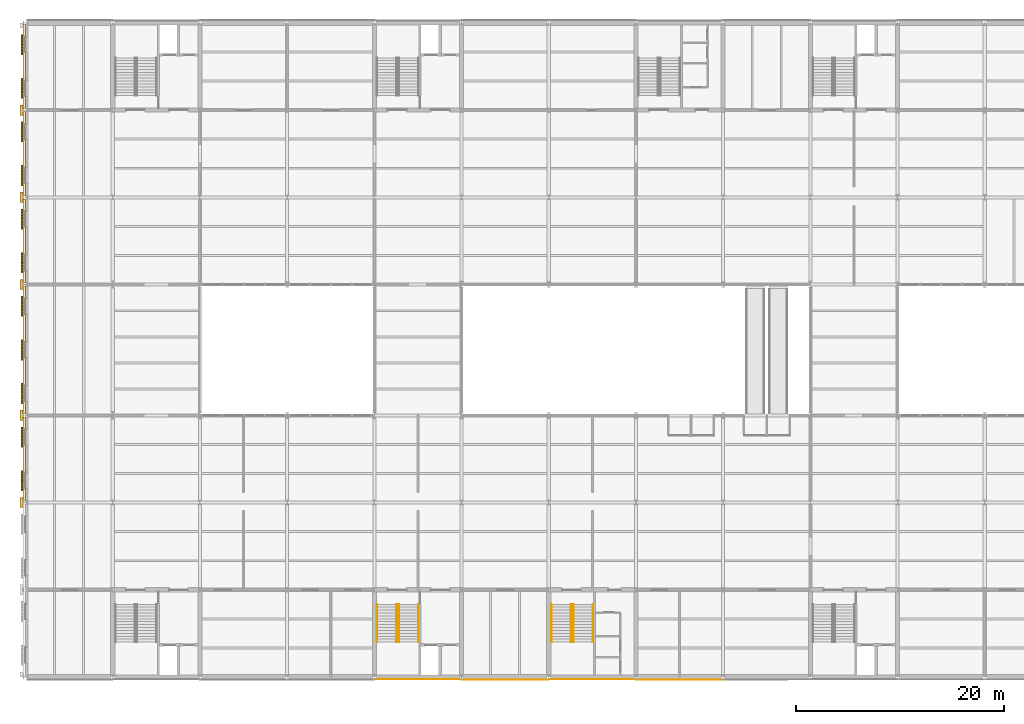
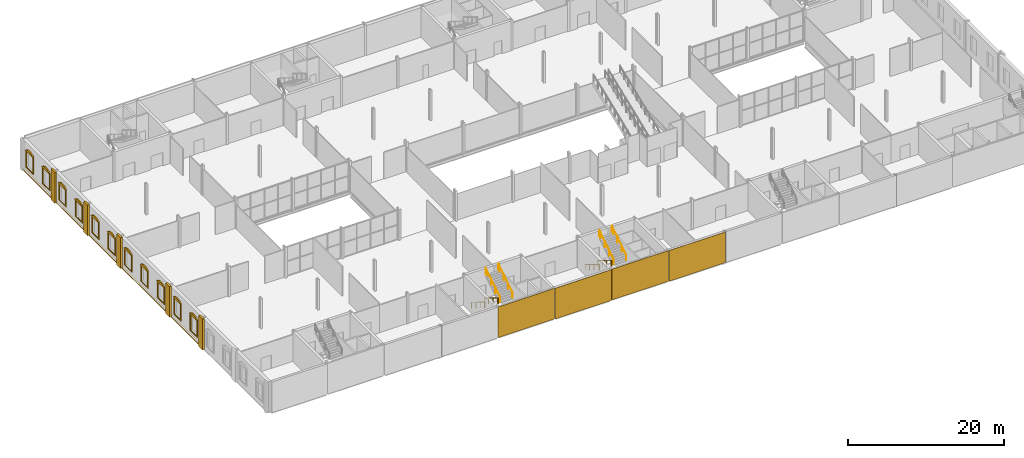
# One storey, part 39 of 57: 36 coverings, 8 railings.
"""IFC4 building model written with IfcOpenShell, lengths in metres."""

from ifc_helpers import new_model, si_unit, direction, frame, origin, origin_2d, place, context, subcontext, project, spatial, polyline, rectangle, circle, outline, extrude, material, layer, layer_set, type_object, element, save


model = new_model("IFC4")

# Units and contexts
model_context = context("Model", 3, precision=1e-05, world=origin(), true_north=direction((0.0, 1.0)))
body_context = subcontext(model_context, "Body", "Model", "MODEL_VIEW")
ifc_project = project(units=[si_unit("LENGTHUNIT", "METRE"), si_unit("AREAUNIT", "SQUARE_METRE"), si_unit("VOLUMEUNIT", "CUBIC_METRE"), si_unit("PLANEANGLEUNIT", "RADIAN"), si_unit("MASSUNIT", "GRAM", prefix="KILO")], contexts=[model_context])

# Site, building, storey
site_placement = place(None, origin())
site = spatial("IfcSite", under=ifc_project, at=site_placement, CompositionType="ELEMENT")
building_placement = place(site_placement, origin())
building = spatial("IfcBuilding", under=site, at=building_placement, Name="Galleria Vessillo Department Store", CompositionType="ELEMENT")
storey_placement = place(building_placement, frame((0.0, 0.0, 21.0)))
storey = spatial("IfcBuildingStorey", under=building, at=storey_placement, Name="L04", CompositionType="ELEMENT", Elevation=21.0)

# Coverings
ifc_material_1 = material(Name="Lime plaster (intonaco) ochre")
ifc_layer_1 = layer(ifc_material_1, 0.030029296875)
ifc_layer_set_1 = layer_set([ifc_layer_1], Name="Lime plaster (intonaco) ochre")
covering_type_1 = type_object("IfcCoveringType", Name="Lime plaster render 30 mm", PredefinedType="CLADDING", material=ifc_layer_set_1)
covering_1_placement = place(storey_placement, frame((37.800048828125, -0.215087890625, 0.0), z_axis=(0.0, 0.0, 1.0), x_axis=(1.0, 0.0, 0.0)))
element("IfcCovering", 1, at=covering_1_placement, inside=storey, type_object=covering_type_1, Name="Wall cladding S-CW-PC-SM-PARTY-L04", PredefinedType="CLADDING", context=body_context, shape_type="SweptSolid", body=[
    extrude(rectangle(XDim=8.33984375, YDim=0.030029296875, at=origin_2d()), origin(), (0.0, 0.0, 1.0), 4.800048828125),
])
for number, where, z_axis, x_axis, name in (
    (2, (46.199951171875, -0.264892578125, 0.0), (0.0, 0.0, 1.0), (1.0, 0.0, 0.0), "Wall cladding S-PS-L04-04"),
    (3, (54.599853515625, -0.215087890625, 0.0), (0.0, 0.0, 1.0), (1.0, 0.0, 0.0), "Wall cladding S-CW-PC-SC-PARTY-L04"),
    (4, (63.0, -0.264892578125, 0.0), (0.0, 0.0, 1.0), (1.0, 0.0, 0.0), "Wall cladding S-PS-L04-05"),
):
    element("IfcCovering", number, at=place(storey_placement, frame(where, z_axis=z_axis, x_axis=x_axis)), inside=storey, type_object=covering_type_1, Name=name, PredefinedType="CLADDING", context=body_context, shape_type="SweptSolid", body=[
        extrude(rectangle(XDim=8.340087890625, YDim=0.030029296875, at=origin_2d()), origin(), (0.0, 0.0, 1.0), 4.800048828125),
    ])
ifc_material_2 = material(Name="Botticino limestone ashlar", Category="masonry")
ifc_layer_2 = layer(ifc_material_2, 0.280029296875)
ifc_layer_set_2 = layer_set([ifc_layer_2], Name="Botticino limestone ashlar")
covering_type_2 = type_object("IfcCoveringType", Name="Limestone giant pilaster 1000 x 280", PredefinedType="CLADDING", material=ifc_layer_set_2)
for number, where, z_axis, x_axis, name in (
    (5, (-0.389892578125, 16.800048828125, 0.0), (0.0, 0.0, 1.0), (1.0, 0.0, 0.0), "Giant pilaster W L04 y=16.8"),
    (6, (-0.389892578125, 25.199951171875, 0.0), (0.0, 0.0, 1.0), (1.0, 0.0, 0.0), "Giant pilaster W L04 y=25.2"),
    (7, (-0.389892578125, 37.800048828125, 0.0), (0.0, 0.0, 1.0), (1.0, 0.0, 0.0), "Giant pilaster W L04 y=37.8"),
    (8, (-0.389892578125, 46.199951171875, 0.0), (0.0, 0.0, 1.0), (1.0, 0.0, 0.0), "Giant pilaster W L04 y=46.2"),
    (9, (-0.389892578125, 54.60009765625, 0.0), (0.0, 0.0, 1.0), (1.0, 0.0, 0.0), "Giant pilaster W L04 y=54.6"),
):
    element("IfcCovering", number, at=place(storey_placement, frame(where, z_axis=z_axis, x_axis=x_axis)), inside=storey, type_object=covering_type_2, Name=name, PredefinedType="CLADDING", context=body_context, shape_type="SweptSolid", body=[
        extrude(rectangle(XDim=0.280029296875, YDim=1.0, at=origin_2d()), origin(), (0.0, 0.0, 1.0), 4.800048828125),
    ])
ifc_material_3 = material(Name="Botticino limestone ashlar", Category="masonry")
ifc_layer_3 = layer(ifc_material_3, 0.179931640625)
ifc_layer_set_3 = layer_set([ifc_layer_3], Name="Botticino limestone ashlar")
covering_type_3 = type_object("IfcCoveringType", Name="Limestone segmental window pediment 180 mm", PredefinedType="USERDEFINED", material=ifc_layer_set_3)
covering_2_placement = place(storey_placement, frame((-0.25, 0.0, 1.0), z_axis=(-1.0, 0.0, 0.0), x_axis=(0.0, -1.0, 0.0)))
element("IfcCovering", 10, at=covering_2_placement, inside=storey, type_object=covering_type_3, Name="Segmental pediment W043", ObjectType="SEGMENTAL WINDOW PEDIMENT", PredefinedType="USERDEFINED", context=body_context, shape_type="SweptSolid", body=[
    extrude(outline(polyline([(-17.929931640625, 2.60009765625), (-18.091552734375, 2.717041015625), (-18.253173828125, 2.805419921875), (-18.414794921875, 2.87060546875), (-18.57666015625, 2.915283203125), (-18.73828125, 2.94140625), (-18.89990234375, 2.949951171875), (-19.0615234375, 2.94140625), (-19.22314453125, 2.915283203125), (-19.385009765625, 2.87060546875), (-19.546630859375, 2.805419921875), (-19.708251953125, 2.717041015625), (-19.869873046875, 2.60009765625), (-19.869873046875, 2.52001953125), (-17.929931640625, 2.52001953125), (-17.929931640625, 2.60009765625)])), origin(), (0.0, 0.0, 1.0), 0.179931640625),
])
covering_3_placement = place(storey_placement, frame((-0.25, 0.0, 1.0), z_axis=(-1.0, 0.0, 0.0), x_axis=(0.0, -1.0, 0.0)))
element("IfcCovering", 11, at=covering_3_placement, inside=storey, type_object=covering_type_3, Name="Segmental pediment W044", ObjectType="SEGMENTAL WINDOW PEDIMENT", PredefinedType="USERDEFINED", context=body_context, shape_type="SweptSolid", body=[
    extrude(outline(polyline([(-22.130126953125, 2.60009765625), (-22.291748046875, 2.717041015625), (-22.453369140625, 2.805419921875), (-22.614990234375, 2.87060546875), (-22.77685546875, 2.915283203125), (-22.9384765625, 2.94140625), (-23.10009765625, 2.949951171875), (-23.26171875, 2.94140625), (-23.42333984375, 2.915283203125), (-23.585205078125, 2.87060546875), (-23.746826171875, 2.805419921875), (-23.908447265625, 2.717041015625), (-24.070068359375, 2.60009765625), (-24.070068359375, 2.52001953125), (-22.130126953125, 2.52001953125), (-22.130126953125, 2.60009765625)])), origin(), (0.0, 0.0, 1.0), 0.179931640625),
])
covering_4_placement = place(storey_placement, frame((-0.25, 0.0, 1.0), z_axis=(-1.0, 0.0, 0.0), x_axis=(0.0, -1.0, 0.0)))
element("IfcCovering", 12, at=covering_4_placement, inside=storey, type_object=covering_type_3, Name="Segmental pediment W045", ObjectType="SEGMENTAL WINDOW PEDIMENT", PredefinedType="USERDEFINED", context=body_context, shape_type="SweptSolid", body=[
    extrude(outline(polyline([(-26.330078125, 2.60009765625), (-26.49169921875, 2.717041015625), (-26.6533203125, 2.805419921875), (-26.81494140625, 2.87060546875), (-26.976806640625, 2.915283203125), (-27.138427734375, 2.94140625), (-27.300048828125, 2.949951171875), (-27.461669921875, 2.94140625), (-27.623291015625, 2.915283203125), (-27.784912109375, 2.87060546875), (-27.94677734375, 2.805419921875), (-28.1083984375, 2.717041015625), (-28.27001953125, 2.60009765625), (-28.27001953125, 2.52001953125), (-26.330078125, 2.52001953125), (-26.330078125, 2.60009765625)])), origin(), (0.0, 0.0, 1.0), 0.179931640625),
])
covering_5_placement = place(storey_placement, frame((-0.25, 0.0, 1.0), z_axis=(-1.0, 0.0, 0.0), x_axis=(0.0, -1.0, 0.0)))
element("IfcCovering", 13, at=covering_5_placement, inside=storey, type_object=covering_type_3, Name="Segmental pediment W046", ObjectType="SEGMENTAL WINDOW PEDIMENT", PredefinedType="USERDEFINED", context=body_context, shape_type="SweptSolid", body=[
    extrude(outline(polyline([(-30.530029296875, 2.60009765625), (-30.691650390625, 2.717041015625), (-30.853271484375, 2.805419921875), (-31.014892578125, 2.87060546875), (-31.1767578125, 2.915283203125), (-31.33837890625, 2.94140625), (-31.5, 2.949951171875), (-31.66162109375, 2.94140625), (-31.8232421875, 2.915283203125), (-31.985107421875, 2.87060546875), (-32.146728515625, 2.805419921875), (-32.308349609375, 2.717041015625), (-32.469970703125, 2.60009765625), (-32.469970703125, 2.52001953125), (-30.530029296875, 2.52001953125), (-30.530029296875, 2.60009765625)])), origin(), (0.0, 0.0, 1.0), 0.179931640625),
])
covering_6_placement = place(storey_placement, frame((-0.25, 0.0, 1.0), z_axis=(-1.0, 0.0, 0.0), x_axis=(0.0, -1.0, 0.0)))
element("IfcCovering", 14, at=covering_6_placement, inside=storey, type_object=covering_type_3, Name="Segmental pediment W047", ObjectType="SEGMENTAL WINDOW PEDIMENT", PredefinedType="USERDEFINED", context=body_context, shape_type="SweptSolid", body=[
    extrude(outline(polyline([(-34.72998046875, 2.60009765625), (-34.8916015625, 2.717041015625), (-35.05322265625, 2.805419921875), (-35.215087890625, 2.87060546875), (-35.376708984375, 2.915283203125), (-35.538330078125, 2.94140625), (-35.699951171875, 2.949951171875), (-35.861572265625, 2.94140625), (-36.023193359375, 2.915283203125), (-36.18505859375, 2.87060546875), (-36.3466796875, 2.805419921875), (-36.50830078125, 2.717041015625), (-36.669921875, 2.60009765625), (-36.669921875, 2.52001953125), (-34.72998046875, 2.52001953125), (-34.72998046875, 2.60009765625)])), origin(), (0.0, 0.0, 1.0), 0.179931640625),
])
covering_7_placement = place(storey_placement, frame((-0.25, 0.0, 1.0), z_axis=(-1.0, 0.0, 0.0), x_axis=(0.0, -1.0, 0.0)))
element("IfcCovering", 15, at=covering_7_placement, inside=storey, type_object=covering_type_3, Name="Segmental pediment W048", ObjectType="SEGMENTAL WINDOW PEDIMENT", PredefinedType="USERDEFINED", context=body_context, shape_type="SweptSolid", body=[
    extrude(outline(polyline([(-38.929931640625, 2.60009765625), (-39.091552734375, 2.717041015625), (-39.253173828125, 2.805419921875), (-39.414794921875, 2.87060546875), (-39.57666015625, 2.915283203125), (-39.73828125, 2.94140625), (-39.89990234375, 2.949951171875), (-40.0615234375, 2.94140625), (-40.22314453125, 2.915283203125), (-40.385009765625, 2.87060546875), (-40.546630859375, 2.805419921875), (-40.708251953125, 2.717041015625), (-40.869873046875, 2.60009765625), (-40.869873046875, 2.52001953125), (-38.929931640625, 2.52001953125), (-38.929931640625, 2.60009765625)])), origin(), (0.0, 0.0, 1.0), 0.179931640625),
])
covering_8_placement = place(storey_placement, frame((-0.25, 0.0, 1.0), z_axis=(-1.0, 0.0, 0.0), x_axis=(0.0, -1.0, 0.0)))
element("IfcCovering", 16, at=covering_8_placement, inside=storey, type_object=covering_type_3, Name="Segmental pediment W049", ObjectType="SEGMENTAL WINDOW PEDIMENT", PredefinedType="USERDEFINED", context=body_context, shape_type="SweptSolid", body=[
    extrude(outline(polyline([(-43.130126953125, 2.60009765625), (-43.291748046875, 2.717041015625), (-43.453369140625, 2.805419921875), (-43.614990234375, 2.87060546875), (-43.77685546875, 2.915283203125), (-43.9384765625, 2.94140625), (-44.10009765625, 2.949951171875), (-44.26171875, 2.94140625), (-44.42333984375, 2.915283203125), (-44.585205078125, 2.87060546875), (-44.746826171875, 2.805419921875), (-44.908447265625, 2.717041015625), (-45.070068359375, 2.60009765625), (-45.070068359375, 2.52001953125), (-43.130126953125, 2.52001953125), (-43.130126953125, 2.60009765625)])), origin(), (0.0, 0.0, 1.0), 0.179931640625),
])
covering_9_placement = place(storey_placement, frame((-0.25, 0.0, 1.0), z_axis=(-1.0, 0.0, 0.0), x_axis=(0.0, -1.0, 0.0)))
element("IfcCovering", 17, at=covering_9_placement, inside=storey, type_object=covering_type_3, Name="Segmental pediment W050", ObjectType="SEGMENTAL WINDOW PEDIMENT", PredefinedType="USERDEFINED", context=body_context, shape_type="SweptSolid", body=[
    extrude(outline(polyline([(-47.330078125, 2.60009765625), (-47.49169921875, 2.717041015625), (-47.6533203125, 2.805419921875), (-47.81494140625, 2.87060546875), (-47.976806640625, 2.915283203125), (-48.138427734375, 2.94140625), (-48.300048828125, 2.949951171875), (-48.461669921875, 2.94140625), (-48.623291015625, 2.915283203125), (-48.784912109375, 2.87060546875), (-48.94677734375, 2.805419921875), (-49.1083984375, 2.717041015625), (-49.27001953125, 2.60009765625), (-49.27001953125, 2.52001953125), (-47.330078125, 2.52001953125), (-47.330078125, 2.60009765625)])), origin(), (0.0, 0.0, 1.0), 0.179931640625),
])
covering_10_placement = place(storey_placement, frame((-0.25, 0.0, 1.0), z_axis=(-1.0, 0.0, 0.0), x_axis=(0.0, -1.0, 0.0)))
element("IfcCovering", 18, at=covering_10_placement, inside=storey, type_object=covering_type_3, Name="Segmental pediment W051", ObjectType="SEGMENTAL WINDOW PEDIMENT", PredefinedType="USERDEFINED", context=body_context, shape_type="SweptSolid", body=[
    extrude(outline(polyline([(-51.530029296875, 2.60009765625), (-51.691650390625, 2.717041015625), (-51.853271484375, 2.805419921875), (-52.014892578125, 2.87060546875), (-52.1767578125, 2.915283203125), (-52.33837890625, 2.94140625), (-52.5, 2.949951171875), (-52.66162109375, 2.94140625), (-52.8232421875, 2.915283203125), (-52.985107421875, 2.87060546875), (-53.146728515625, 2.805419921875), (-53.308349609375, 2.717041015625), (-53.469970703125, 2.60009765625), (-53.469970703125, 2.52001953125), (-51.530029296875, 2.52001953125), (-51.530029296875, 2.60009765625)])), origin(), (0.0, 0.0, 1.0), 0.179931640625),
])
covering_11_placement = place(storey_placement, frame((-0.25, 0.0, 1.0), z_axis=(-1.0, 0.0, 0.0), x_axis=(0.0, -1.0, 0.0)))
element("IfcCovering", 19, at=covering_11_placement, inside=storey, type_object=covering_type_3, Name="Segmental pediment W052", ObjectType="SEGMENTAL WINDOW PEDIMENT", PredefinedType="USERDEFINED", context=body_context, shape_type="SweptSolid", body=[
    extrude(outline(polyline([(-55.72998046875, 2.60009765625), (-55.8916015625, 2.717041015625), (-56.05322265625, 2.805419921875), (-56.215087890625, 2.87060546875), (-56.376708984375, 2.915283203125), (-56.538330078125, 2.94140625), (-56.699951171875, 2.949951171875), (-56.861572265625, 2.94140625), (-57.023193359375, 2.915283203125), (-57.18505859375, 2.87060546875), (-57.3466796875, 2.805419921875), (-57.50830078125, 2.717041015625), (-57.669921875, 2.60009765625), (-57.669921875, 2.52001953125), (-55.72998046875, 2.52001953125), (-55.72998046875, 2.60009765625)])), origin(), (0.0, 0.0, 1.0), 0.179931640625),
])
covering_12_placement = place(storey_placement, frame((-0.25, 0.0, 1.0), z_axis=(-1.0, 0.0, 0.0), x_axis=(0.0, -1.0, 0.0)))
element("IfcCovering", 20, at=covering_12_placement, inside=storey, type_object=covering_type_3, Name="Segmental pediment W053", ObjectType="SEGMENTAL WINDOW PEDIMENT", PredefinedType="USERDEFINED", context=body_context, shape_type="SweptSolid", body=[
    extrude(outline(polyline([(-59.929931640625, 2.60009765625), (-60.091552734375, 2.717041015625), (-60.253173828125, 2.805419921875), (-60.414794921875, 2.87060546875), (-60.57666015625, 2.915283203125), (-60.73828125, 2.94140625), (-60.89990234375, 2.949951171875), (-61.0615234375, 2.94140625), (-61.22314453125, 2.915283203125), (-61.385009765625, 2.87060546875), (-61.546630859375, 2.805419921875), (-61.708251953125, 2.717041015625), (-61.869873046875, 2.60009765625), (-61.869873046875, 2.52001953125), (-59.929931640625, 2.52001953125), (-59.929931640625, 2.60009765625)])), origin(), (0.0, 0.0, 1.0), 0.179931640625),
])
ifc_material_4 = material(Name="Botticino limestone ashlar", Category="masonry")
ifc_layer_4 = layer(ifc_material_4, 0.14990234375)
ifc_layer_set_4 = layer_set([ifc_layer_4], Name="Botticino limestone ashlar")
covering_type_4 = type_object("IfcCoveringType", Name="Limestone slab-edge fascia 150 mm", PredefinedType="CLADDING", material=ifc_layer_set_4)
covering_13_placement = place(storey_placement, frame((-0.125, 21.0, -0.14990234375), z_axis=(0.0, 0.0, 1.0), x_axis=(1.0, 0.0, 0.0)))
element("IfcCovering", 21, at=covering_13_placement, inside=storey, type_object=covering_type_4, Name="Slab-edge fascia SW-L03-03", PredefinedType="CLADDING", context=body_context, shape_type="SweptSolid", body=[
    extrude(rectangle(XDim=0.25, YDim=8.099853515625, at=origin_2d()), origin(), (0.0, 0.0, 1.0), 0.14990234375),
])
covering_14_placement = place(storey_placement, frame((-0.125, 31.5, -0.14990234375), z_axis=(0.0, 0.0, 1.0), x_axis=(1.0, 0.0, 0.0)))
element("IfcCovering", 22, at=covering_14_placement, inside=storey, type_object=covering_type_4, Name="Slab-edge fascia SW-L03-04", PredefinedType="CLADDING", context=body_context, shape_type="SweptSolid", body=[
    extrude(rectangle(XDim=0.25, YDim=12.300048828125, at=origin_2d()), origin(), (0.0, 0.0, 1.0), 0.14990234375),
])
covering_15_placement = place(storey_placement, frame((-0.125, 42.0, -0.14990234375), z_axis=(0.0, 0.0, 1.0), x_axis=(1.0, 0.0, 0.0)))
element("IfcCovering", 23, at=covering_15_placement, inside=storey, type_object=covering_type_4, Name="Slab-edge fascia SW-L03-05", PredefinedType="CLADDING", context=body_context, shape_type="SweptSolid", body=[
    extrude(rectangle(XDim=0.25, YDim=8.099853515625, at=origin_2d()), origin(), (0.0, 0.0, 1.0), 0.14990234375),
])
covering_16_placement = place(storey_placement, frame((-0.125, 50.39990234375, -0.14990234375), z_axis=(0.0, 0.0, 1.0), x_axis=(1.0, 0.0, 0.0)))
element("IfcCovering", 24, at=covering_16_placement, inside=storey, type_object=covering_type_4, Name="Slab-edge fascia SW-L03-06", PredefinedType="CLADDING", context=body_context, shape_type="SweptSolid", body=[
    extrude(rectangle(XDim=0.25, YDim=8.10009765625, at=origin_2d()), origin(), (0.0, 0.0, 1.0), 0.14990234375),
])
covering_17_placement = place(storey_placement, frame((-0.125, 58.800048828125, -0.14990234375), z_axis=(0.0, 0.0, 1.0), x_axis=(1.0, 0.0, 0.0)))
element("IfcCovering", 25, at=covering_17_placement, inside=storey, type_object=covering_type_4, Name="Slab-edge fascia SW-L03-07", PredefinedType="CLADDING", context=body_context, shape_type="SweptSolid", body=[
    extrude(rectangle(XDim=0.25, YDim=8.099853515625, at=origin_2d()), origin(), (0.0, 0.0, 1.0), 0.14990234375),
])
ifc_material_5 = material(Name="Botticino limestone ashlar", Category="masonry")
ifc_layer_5 = layer(ifc_material_5, 0.10009765625)
ifc_layer_set_5 = layer_set([ifc_layer_5], Name="Botticino limestone ashlar")
covering_type_5 = type_object("IfcCoveringType", Name="Limestone window surround 100 mm", PredefinedType="CLADDING", material=ifc_layer_set_5)
covering_18_placement = place(storey_placement, frame((-0.25, 0.0, 1.0), z_axis=(-1.0, 0.0, 0.0), x_axis=(0.0, -1.0, 0.0)))
element("IfcCovering", 26, at=covering_18_placement, inside=storey, type_object=covering_type_5, Name="Window surround W043", PredefinedType="CLADDING", context=body_context, shape_type="SweptSolid", body=[
    extrude(outline(polyline([(-17.929931640625, 2.52001953125), (-19.869873046875, 2.52001953125), (-19.869873046875, -0.139892578125), (-17.929931640625, -0.139892578125), (-17.929931640625, 2.52001953125)]), holes=[polyline([(-18.14990234375, 2.39990234375), (-19.64990234375, 2.39990234375), (-19.64990234375, 0.0), (-18.14990234375, 0.0), (-18.14990234375, 2.39990234375)])]), origin(), (0.0, 0.0, 1.0), 0.10009765625),
])
covering_19_placement = place(storey_placement, frame((-0.25, 0.0, 1.0), z_axis=(-1.0, 0.0, 0.0), x_axis=(0.0, -1.0, 0.0)))
element("IfcCovering", 27, at=covering_19_placement, inside=storey, type_object=covering_type_5, Name="Window surround W044", PredefinedType="CLADDING", context=body_context, shape_type="SweptSolid", body=[
    extrude(outline(polyline([(-22.130126953125, 2.52001953125), (-24.070068359375, 2.52001953125), (-24.070068359375, -0.139892578125), (-22.130126953125, -0.139892578125), (-22.130126953125, 2.52001953125)]), holes=[polyline([(-22.35009765625, 2.39990234375), (-23.85009765625, 2.39990234375), (-23.85009765625, 0.0), (-22.35009765625, 0.0), (-22.35009765625, 2.39990234375)])]), origin(), (0.0, 0.0, 1.0), 0.10009765625),
])
covering_20_placement = place(storey_placement, frame((-0.25, 0.0, 1.0), z_axis=(-1.0, 0.0, 0.0), x_axis=(0.0, -1.0, 0.0)))
element("IfcCovering", 28, at=covering_20_placement, inside=storey, type_object=covering_type_5, Name="Window surround W045", PredefinedType="CLADDING", context=body_context, shape_type="SweptSolid", body=[
    extrude(outline(polyline([(-26.330078125, 2.52001953125), (-28.27001953125, 2.52001953125), (-28.27001953125, -0.139892578125), (-26.330078125, -0.139892578125), (-26.330078125, 2.52001953125)]), holes=[polyline([(-26.550048828125, 2.39990234375), (-28.050048828125, 2.39990234375), (-28.050048828125, 0.0), (-26.550048828125, 0.0), (-26.550048828125, 2.39990234375)])]), origin(), (0.0, 0.0, 1.0), 0.10009765625),
])
covering_21_placement = place(storey_placement, frame((-0.25, 0.0, 1.0), z_axis=(-1.0, 0.0, 0.0), x_axis=(0.0, -1.0, 0.0)))
element("IfcCovering", 29, at=covering_21_placement, inside=storey, type_object=covering_type_5, Name="Window surround W046", PredefinedType="CLADDING", context=body_context, shape_type="SweptSolid", body=[
    extrude(outline(polyline([(-30.530029296875, 2.52001953125), (-32.469970703125, 2.52001953125), (-32.469970703125, -0.139892578125), (-30.530029296875, -0.139892578125), (-30.530029296875, 2.52001953125)]), holes=[polyline([(-30.75, 2.39990234375), (-32.25, 2.39990234375), (-32.25, 0.0), (-30.75, 0.0), (-30.75, 2.39990234375)])]), origin(), (0.0, 0.0, 1.0), 0.10009765625),
])
covering_22_placement = place(storey_placement, frame((-0.25, 0.0, 1.0), z_axis=(-1.0, 0.0, 0.0), x_axis=(0.0, -1.0, 0.0)))
element("IfcCovering", 30, at=covering_22_placement, inside=storey, type_object=covering_type_5, Name="Window surround W047", PredefinedType="CLADDING", context=body_context, shape_type="SweptSolid", body=[
    extrude(outline(polyline([(-34.72998046875, 2.52001953125), (-36.669921875, 2.52001953125), (-36.669921875, -0.139892578125), (-34.72998046875, -0.139892578125), (-34.72998046875, 2.52001953125)]), holes=[polyline([(-34.949951171875, 2.39990234375), (-36.449951171875, 2.39990234375), (-36.449951171875, 0.0), (-34.949951171875, 0.0), (-34.949951171875, 2.39990234375)])]), origin(), (0.0, 0.0, 1.0), 0.10009765625),
])
covering_23_placement = place(storey_placement, frame((-0.25, 0.0, 1.0), z_axis=(-1.0, 0.0, 0.0), x_axis=(0.0, -1.0, 0.0)))
element("IfcCovering", 31, at=covering_23_placement, inside=storey, type_object=covering_type_5, Name="Window surround W048", PredefinedType="CLADDING", context=body_context, shape_type="SweptSolid", body=[
    extrude(outline(polyline([(-38.929931640625, 2.52001953125), (-40.869873046875, 2.52001953125), (-40.869873046875, -0.139892578125), (-38.929931640625, -0.139892578125), (-38.929931640625, 2.52001953125)]), holes=[polyline([(-39.14990234375, 2.39990234375), (-40.64990234375, 2.39990234375), (-40.64990234375, 0.0), (-39.14990234375, 0.0), (-39.14990234375, 2.39990234375)])]), origin(), (0.0, 0.0, 1.0), 0.10009765625),
])
covering_24_placement = place(storey_placement, frame((-0.25, 0.0, 1.0), z_axis=(-1.0, 0.0, 0.0), x_axis=(0.0, -1.0, 0.0)))
element("IfcCovering", 32, at=covering_24_placement, inside=storey, type_object=covering_type_5, Name="Window surround W049", PredefinedType="CLADDING", context=body_context, shape_type="SweptSolid", body=[
    extrude(outline(polyline([(-43.130126953125, 2.52001953125), (-45.070068359375, 2.52001953125), (-45.070068359375, -0.139892578125), (-43.130126953125, -0.139892578125), (-43.130126953125, 2.52001953125)]), holes=[polyline([(-43.35009765625, 2.39990234375), (-44.85009765625, 2.39990234375), (-44.85009765625, 0.0), (-43.35009765625, 0.0), (-43.35009765625, 2.39990234375)])]), origin(), (0.0, 0.0, 1.0), 0.10009765625),
])
covering_25_placement = place(storey_placement, frame((-0.25, 0.0, 1.0), z_axis=(-1.0, 0.0, 0.0), x_axis=(0.0, -1.0, 0.0)))
element("IfcCovering", 33, at=covering_25_placement, inside=storey, type_object=covering_type_5, Name="Window surround W050", PredefinedType="CLADDING", context=body_context, shape_type="SweptSolid", body=[
    extrude(outline(polyline([(-47.330078125, 2.52001953125), (-49.27001953125, 2.52001953125), (-49.27001953125, -0.139892578125), (-47.330078125, -0.139892578125), (-47.330078125, 2.52001953125)]), holes=[polyline([(-47.550048828125, 2.39990234375), (-49.050048828125, 2.39990234375), (-49.050048828125, 0.0), (-47.550048828125, 0.0), (-47.550048828125, 2.39990234375)])]), origin(), (0.0, 0.0, 1.0), 0.10009765625),
])
covering_26_placement = place(storey_placement, frame((-0.25, 0.0, 1.0), z_axis=(-1.0, 0.0, 0.0), x_axis=(0.0, -1.0, 0.0)))
element("IfcCovering", 34, at=covering_26_placement, inside=storey, type_object=covering_type_5, Name="Window surround W051", PredefinedType="CLADDING", context=body_context, shape_type="SweptSolid", body=[
    extrude(outline(polyline([(-51.530029296875, 2.52001953125), (-53.469970703125, 2.52001953125), (-53.469970703125, -0.139892578125), (-51.530029296875, -0.139892578125), (-51.530029296875, 2.52001953125)]), holes=[polyline([(-51.75, 2.39990234375), (-53.25, 2.39990234375), (-53.25, 0.0), (-51.75, 0.0), (-51.75, 2.39990234375)])]), origin(), (0.0, 0.0, 1.0), 0.10009765625),
])
covering_27_placement = place(storey_placement, frame((-0.25, 0.0, 1.0), z_axis=(-1.0, 0.0, 0.0), x_axis=(0.0, -1.0, 0.0)))
element("IfcCovering", 35, at=covering_27_placement, inside=storey, type_object=covering_type_5, Name="Window surround W052", PredefinedType="CLADDING", context=body_context, shape_type="SweptSolid", body=[
    extrude(outline(polyline([(-55.72998046875, 2.52001953125), (-57.669921875, 2.52001953125), (-57.669921875, -0.139892578125), (-55.72998046875, -0.139892578125), (-55.72998046875, 2.52001953125)]), holes=[polyline([(-55.949951171875, 2.39990234375), (-57.449951171875, 2.39990234375), (-57.449951171875, 0.0), (-55.949951171875, 0.0), (-55.949951171875, 2.39990234375)])]), origin(), (0.0, 0.0, 1.0), 0.10009765625),
])
covering_28_placement = place(storey_placement, frame((-0.25, 0.0, 1.0), z_axis=(-1.0, 0.0, 0.0), x_axis=(0.0, -1.0, 0.0)))
element("IfcCovering", 36, at=covering_28_placement, inside=storey, type_object=covering_type_5, Name="Window surround W053", PredefinedType="CLADDING", context=body_context, shape_type="SweptSolid", body=[
    extrude(outline(polyline([(-59.929931640625, 2.52001953125), (-61.869873046875, 2.52001953125), (-61.869873046875, -0.139892578125), (-59.929931640625, -0.139892578125), (-59.929931640625, 2.52001953125)]), holes=[polyline([(-60.14990234375, 2.39990234375), (-61.64990234375, 2.39990234375), (-61.64990234375, 0.0), (-60.14990234375, 0.0), (-60.14990234375, 2.39990234375)])]), origin(), (0.0, 0.0, 1.0), 0.10009765625),
])

# Railings
ifc_material_6 = material(Name="Stainless steel tube", Category="steel")
railing_type = type_object("IfcRailingType", Name="Stair handrail steel tube 48 mm", PredefinedType="HANDRAIL", material=ifc_material_6)
for number, where, name in (
    (37, (35.739990234375, 7.0, 0.17138671875), "Handrail ST3 L04 flight 1A"),
    (38, (33.860107421875, 7.0, 0.17138671875), "Handrail ST3 L04 flight 1B"),
):
    element("IfcRailing", number, at=place(storey_placement, frame(where)), inside=storey, type_object=railing_type, Name=name, PredefinedType="HANDRAIL", context=body_context, shape_type="SweptSolid", body=[
        extrude(circle(Radius=0.02392578125, at=origin_2d()), frame((0.0, 0.0, 0.89599609375), z_axis=(0.0, -0.852849614702, 0.52215661894), x_axis=(1.0, 0.0, 0.0)), (0.0, 0.0, 1.0), 1.3134765625),
        extrude(circle(Radius=0.02392578125, at=origin_2d()), frame((0.0, -1.1201171875, 1.58154296875), z_axis=(0.0, -0.852798921012, 0.522239409008), x_axis=(1.0, 0.0, 0.0)), (0.0, 0.0, 1.0), 1.313232421875),
        extrude(circle(Radius=0.02392578125, at=origin_2d()), frame((0.0, -2.239990234375, 2.267578125), z_axis=(0.0, -0.852932391421, 0.522021393877), x_axis=(1.0, 0.0, 0.0)), (0.0, 0.0, 1.0), 1.313232421875),
        extrude(circle(Radius=0.02392578125, at=origin_2d()), frame((0.0, -3.360107421875, 2.953125), z_axis=(0.0, -0.852729557261, 0.522352660731), x_axis=(1.0, 0.0, 0.0)), (0.0, 0.0, 1.0), 0.328125),
        extrude(circle(Radius=0.02099609375, at=origin_2d()), origin(), (0.0, 0.0, 1.0), 0.871826171875),
        extrude(circle(Radius=0.02099609375, at=origin_2d()), frame((0.0, -1.1201171875, 0.685791015625)), (0.0, 0.0, 1.0), 0.871826171875),
        extrude(circle(Radius=0.02099609375, at=origin_2d()), frame((0.0, -2.239990234375, 1.37158203125)), (0.0, 0.0, 1.0), 0.871826171875),
        extrude(circle(Radius=0.02099609375, at=origin_2d()), frame((0.0, -3.360107421875, 2.05712890625)), (0.0, 0.0, 1.0), 0.871826171875),
        extrude(circle(Radius=0.02099609375, at=origin_2d()), frame((0.0, -3.639892578125, 2.228515625)), (0.0, 0.0, 1.0), 0.871826171875),
    ])
for number, where, name in (
    (39, (35.9599609375, 3.360107421875, 2.5712890625), "Handrail ST3 L04 flight 2A"),
    (40, (37.83984375, 3.360107421875, 2.5712890625), "Handrail ST3 L04 flight 2B"),
):
    element("IfcRailing", number, at=place(storey_placement, frame(where)), inside=storey, type_object=railing_type, Name=name, PredefinedType="HANDRAIL", context=body_context, shape_type="SweptSolid", body=[
        extrude(circle(Radius=0.02392578125, at=origin_2d()), frame((0.0, 0.0, 0.89599609375), z_axis=(0.0, 0.852849614702, 0.52215661894), x_axis=(-1.0, 0.0, 0.0)), (0.0, 0.0, 1.0), 1.3134765625),
        extrude(circle(Radius=0.02392578125, at=origin_2d()), frame((0.0, 1.1201171875, 1.58154296875), z_axis=(0.0, 0.852798921012, 0.522239409008), x_axis=(-1.0, 0.0, 0.0)), (0.0, 0.0, 1.0), 1.313232421875),
        extrude(circle(Radius=0.02392578125, at=origin_2d()), frame((0.0, 2.239990234375, 2.267578125), z_axis=(0.0, 0.852932391421, 0.522021393877), x_axis=(-1.0, 0.0, 0.0)), (0.0, 0.0, 1.0), 1.313232421875),
        extrude(circle(Radius=0.02392578125, at=origin_2d()), frame((0.0, 3.360107421875, 2.953125), z_axis=(0.0, 0.852729557261, 0.522352660731), x_axis=(-1.0, 0.0, 0.0)), (0.0, 0.0, 1.0), 0.328125),
        extrude(circle(Radius=0.02099609375, at=origin_2d()), origin(), (0.0, 0.0, 1.0), 0.871826171875),
        extrude(circle(Radius=0.02099609375, at=origin_2d()), frame((0.0, 1.1201171875, 0.685791015625)), (0.0, 0.0, 1.0), 0.871826171875),
        extrude(circle(Radius=0.02099609375, at=origin_2d()), frame((0.0, 2.239990234375, 1.37158203125)), (0.0, 0.0, 1.0), 0.871826171875),
        extrude(circle(Radius=0.02099609375, at=origin_2d()), frame((0.0, 3.360107421875, 2.05712890625)), (0.0, 0.0, 1.0), 0.871826171875),
        extrude(circle(Radius=0.02099609375, at=origin_2d()), frame((0.0, 3.639892578125, 2.228515625)), (0.0, 0.0, 1.0), 0.871826171875),
    ])
for number, where, name in (
    (41, (52.5400390625, 7.0, 0.17138671875), "Handrail ST10 L04 flight 1A"),
    (42, (50.66015625, 7.0, 0.17138671875), "Handrail ST10 L04 flight 1B"),
):
    element("IfcRailing", number, at=place(storey_placement, frame(where)), inside=storey, type_object=railing_type, Name=name, PredefinedType="HANDRAIL", context=body_context, shape_type="SweptSolid", body=[
        extrude(circle(Radius=0.02392578125, at=origin_2d()), frame((0.0, 0.0, 0.89599609375), z_axis=(0.0, -0.852849614702, 0.52215661894), x_axis=(1.0, 0.0, 0.0)), (0.0, 0.0, 1.0), 1.3134765625),
        extrude(circle(Radius=0.02392578125, at=origin_2d()), frame((0.0, -1.1201171875, 1.58154296875), z_axis=(0.0, -0.852798921012, 0.522239409008), x_axis=(1.0, 0.0, 0.0)), (0.0, 0.0, 1.0), 1.313232421875),
        extrude(circle(Radius=0.02392578125, at=origin_2d()), frame((0.0, -2.239990234375, 2.267578125), z_axis=(0.0, -0.852932391421, 0.522021393877), x_axis=(1.0, 0.0, 0.0)), (0.0, 0.0, 1.0), 1.313232421875),
        extrude(circle(Radius=0.02392578125, at=origin_2d()), frame((0.0, -3.360107421875, 2.953125), z_axis=(0.0, -0.852729557261, 0.522352660731), x_axis=(1.0, 0.0, 0.0)), (0.0, 0.0, 1.0), 0.328125),
        extrude(circle(Radius=0.02099609375, at=origin_2d()), origin(), (0.0, 0.0, 1.0), 0.871826171875),
        extrude(circle(Radius=0.02099609375, at=origin_2d()), frame((0.0, -1.1201171875, 0.685791015625)), (0.0, 0.0, 1.0), 0.871826171875),
        extrude(circle(Radius=0.02099609375, at=origin_2d()), frame((0.0, -2.239990234375, 1.37158203125)), (0.0, 0.0, 1.0), 0.871826171875),
        extrude(circle(Radius=0.02099609375, at=origin_2d()), frame((0.0, -3.360107421875, 2.05712890625)), (0.0, 0.0, 1.0), 0.871826171875),
        extrude(circle(Radius=0.02099609375, at=origin_2d()), frame((0.0, -3.639892578125, 2.228515625)), (0.0, 0.0, 1.0), 0.871826171875),
    ])
for number, where, name in (
    (43, (52.760009765625, 3.360107421875, 2.5712890625), "Handrail ST10 L04 flight 2A"),
    (44, (54.639892578125, 3.360107421875, 2.5712890625), "Handrail ST10 L04 flight 2B"),
):
    element("IfcRailing", number, at=place(storey_placement, frame(where)), inside=storey, type_object=railing_type, Name=name, PredefinedType="HANDRAIL", context=body_context, shape_type="SweptSolid", body=[
        extrude(circle(Radius=0.02392578125, at=origin_2d()), frame((0.0, 0.0, 0.89599609375), z_axis=(0.0, 0.852849614702, 0.52215661894), x_axis=(-1.0, 0.0, 0.0)), (0.0, 0.0, 1.0), 1.3134765625),
        extrude(circle(Radius=0.02392578125, at=origin_2d()), frame((0.0, 1.1201171875, 1.58154296875), z_axis=(0.0, 0.852798921012, 0.522239409008), x_axis=(-1.0, 0.0, 0.0)), (0.0, 0.0, 1.0), 1.313232421875),
        extrude(circle(Radius=0.02392578125, at=origin_2d()), frame((0.0, 2.239990234375, 2.267578125), z_axis=(0.0, 0.852932391421, 0.522021393877), x_axis=(-1.0, 0.0, 0.0)), (0.0, 0.0, 1.0), 1.313232421875),
        extrude(circle(Radius=0.02392578125, at=origin_2d()), frame((0.0, 3.360107421875, 2.953125), z_axis=(0.0, 0.852729557261, 0.522352660731), x_axis=(-1.0, 0.0, 0.0)), (0.0, 0.0, 1.0), 0.328125),
        extrude(circle(Radius=0.02099609375, at=origin_2d()), origin(), (0.0, 0.0, 1.0), 0.871826171875),
        extrude(circle(Radius=0.02099609375, at=origin_2d()), frame((0.0, 1.1201171875, 0.685791015625)), (0.0, 0.0, 1.0), 0.871826171875),
        extrude(circle(Radius=0.02099609375, at=origin_2d()), frame((0.0, 2.239990234375, 1.37158203125)), (0.0, 0.0, 1.0), 0.871826171875),
        extrude(circle(Radius=0.02099609375, at=origin_2d()), frame((0.0, 3.360107421875, 2.05712890625)), (0.0, 0.0, 1.0), 0.871826171875),
        extrude(circle(Radius=0.02099609375, at=origin_2d()), frame((0.0, 3.639892578125, 2.228515625)), (0.0, 0.0, 1.0), 0.871826171875),
    ])

save(model, "model.ifc")
